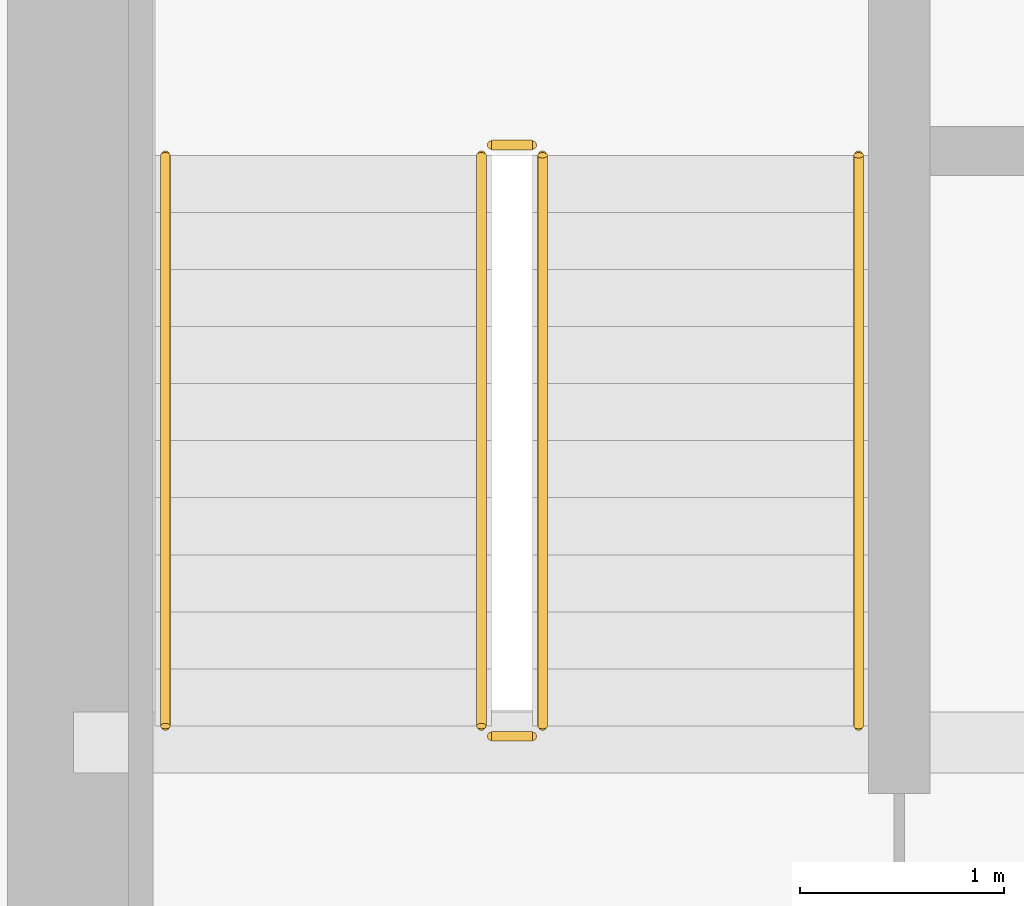
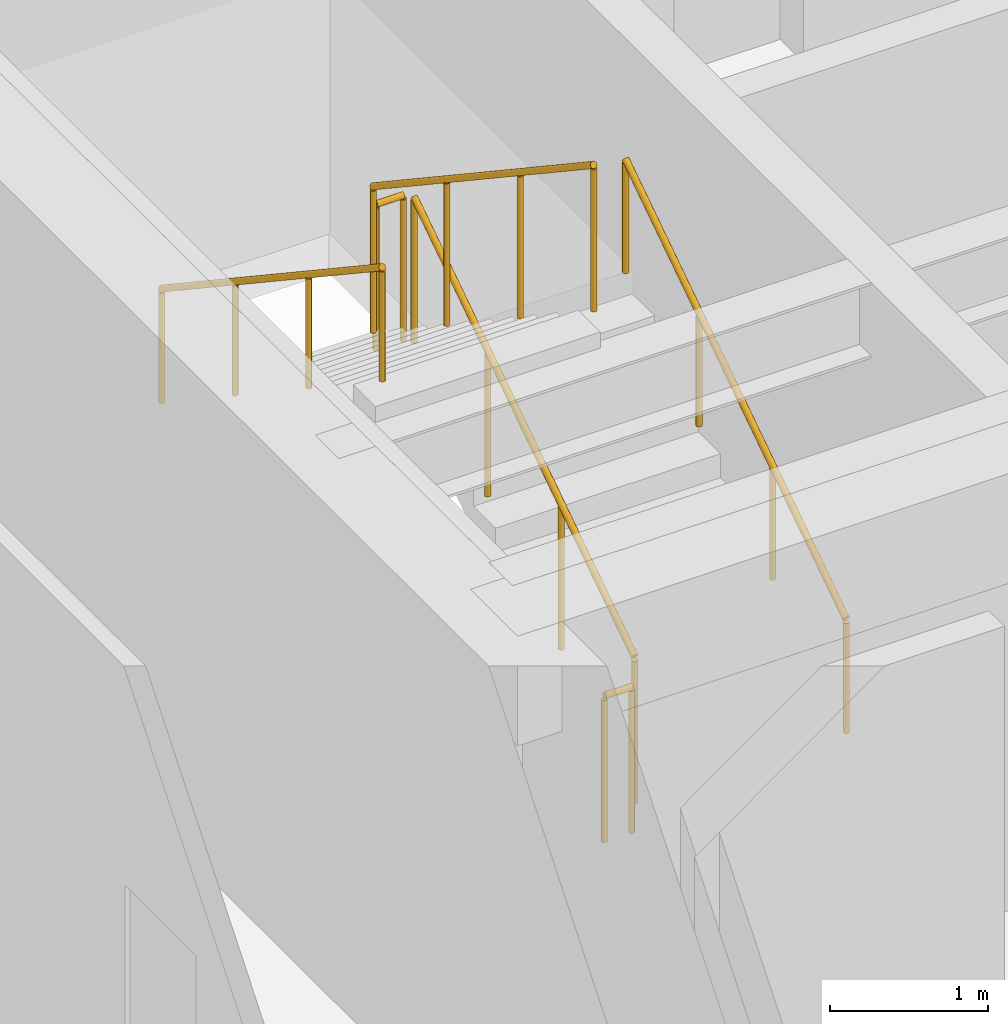
# One storey, part 29 of 30: 6 railings.
"""IFC4 building model written with IfcOpenShell, lengths in metres."""

from ifc_helpers import new_model, si_unit, direction, frame, origin, origin_2d, place, context, subcontext, project, spatial, circle, extrude, source, transform, mapped, material, type_object, type_shapes, element, save


model = new_model("IFC4")

# Units and contexts
model_context = context("Model", 3, precision=1e-05, world=origin(), true_north=direction((0.0, 1.0)))
body_context = subcontext(model_context, "Body", "Model", "MODEL_VIEW")
ifc_project = project(units=[si_unit("LENGTHUNIT", "METRE"), si_unit("AREAUNIT", "SQUARE_METRE"), si_unit("VOLUMEUNIT", "CUBIC_METRE"), si_unit("PLANEANGLEUNIT", "RADIAN"), si_unit("MASSUNIT", "GRAM", prefix="KILO")], contexts=[model_context])

# Site, building, storey
site_placement = place(None, origin())
site = spatial("IfcSite", under=ifc_project, at=site_placement, CompositionType="ELEMENT")
building_placement = place(site_placement, origin())
building = spatial("IfcBuilding", under=site, at=building_placement, Name="Haelvirn Gate Laboratories", CompositionType="ELEMENT")
storey_placement = place(building_placement, frame((0.0, 0.0, 162.5)))
storey = spatial("IfcBuildingStorey", under=building, at=storey_placement, Name="L39", CompositionType="ELEMENT", Elevation=162.5)

# Railings
ifc_material_1 = material(Name="Galvanised steel SM355 & stainless top rail", Category="steel")
railing_type_1 = type_object("IfcRailingType", Name="RL-GUARD-1150", PredefinedType="GUARDRAIL", material=ifc_material_1)
shared_shape_1 = source(origin(), body_context, "Body", "SweptSolid", [
    extrude(circle(Radius=0.02392578125, at=origin_2d()), frame((0.0, 0.0, 1.1259765625), z_axis=(-1.0, 0.0, 0.0), x_axis=(0.0, -1.0, 0.0)), (0.0, 0.0, 1.0), 0.199951171875),
    extrude(circle(Radius=0.02099609375, at=origin_2d()), origin(), (0.0, 0.0, 1.0), 1.101806640625),
    extrude(circle(Radius=0.02099609375, at=origin_2d()), frame((-0.199951171875, 0.0, 0.0)), (0.0, 0.0, 1.0), 1.101806640625),
])
for number, where, name in (
    (1, (9.64990234375, 29.550048828125, 2.050048828125), "L39 ST1 stair guard 2"),
    (2, (9.64990234375, 26.64990234375, 0.0), "L39 ST1 stair guard 4"),
):
    element("IfcRailing", number, at=place(storey_placement, frame(where)), inside=storey, type_object=railing_type_1, Name=name, PredefinedType="GUARDRAIL", context=body_context, shape_type="MappedRepresentation", body=[
        mapped(shared_shape_1, transform((0.0, 0.0, 0.0), scale=1.0)),
    ])
shared_shape_2 = source(origin(), body_context, "Body", "SweptSolid", [
    extrude(circle(Radius=0.02392578125, at=origin_2d()), frame((0.0, 0.0, 1.1259765625), z_axis=(0.0, -0.832452072856, 0.554097055034), x_axis=(1.0, 0.0, 0.0)), (0.0, 0.0, 1.0), 3.363525390625),
    extrude(circle(Radius=0.02099609375, at=origin_2d()), origin(), (0.0, 0.0, 1.0), 1.101806640625),
    extrude(circle(Radius=0.02099609375, at=origin_2d()), frame((0.0, -0.933349609375, 0.621337890625)), (0.0, 0.0, 1.0), 1.101806640625),
    extrude(circle(Radius=0.02099609375, at=origin_2d()), frame((0.0, -1.86669921875, 1.242431640625)), (0.0, 0.0, 1.0), 1.101806640625),
    extrude(circle(Radius=0.02099609375, at=origin_2d()), frame((0.0, -2.800048828125, 1.86376953125)), (0.0, 0.0, 1.0), 1.101806640625),
])
railing_1_placement = place(storey_placement, frame((9.39990234375, 29.5, 2.236328125)))
element("IfcRailing", 3, at=railing_1_placement, inside=storey, type_object=railing_type_1, Name="L39 ST1 stair guard 3", PredefinedType="GUARDRAIL", context=body_context, shape_type="MappedRepresentation", body=[
    mapped(shared_shape_2, transform((0.0, 0.0, 0.0), scale=1.0)),
])
ifc_material_2 = material(Name="Brushed stainless steel 316L", Category="steel")
railing_type_2 = type_object("IfcRailingType", Name="RL-HAND-920", PredefinedType="HANDRAIL", material=ifc_material_2)
shared_shape_3 = source(origin(), body_context, "Body", "SweptSolid", [
    extrude(circle(Radius=0.02392578125, at=origin_2d()), frame((0.0, 0.0, 0.8759765625), z_axis=(0.0, -0.832452072856, 0.554097055034), x_axis=(1.0, 0.0, 0.0)), (0.0, 0.0, 1.0), 3.363525390625),
    extrude(circle(Radius=0.02099609375, at=origin_2d()), origin(), (0.0, 0.0, 1.0), 0.851806640625),
    extrude(circle(Radius=0.02099609375, at=origin_2d()), frame((0.0, -0.933349609375, 0.621337890625)), (0.0, 0.0, 1.0), 0.851806640625),
    extrude(circle(Radius=0.02099609375, at=origin_2d()), frame((0.0, -1.86669921875, 1.242431640625)), (0.0, 0.0, 1.0), 0.851806640625),
    extrude(circle(Radius=0.02099609375, at=origin_2d()), frame((0.0, -2.800048828125, 1.86376953125)), (0.0, 0.0, 1.0), 0.851806640625),
])
railing_2_placement = place(storey_placement, frame((7.85009765625, 29.5, 2.236328125)))
element("IfcRailing", 4, at=railing_2_placement, inside=storey, type_object=railing_type_2, Name="L39 ST1 stair handrail 2", PredefinedType="HANDRAIL", context=body_context, shape_type="MappedRepresentation", body=[
    mapped(shared_shape_3, transform((0.0, 0.0, 0.0), scale=1.0)),
])
shared_shape_4 = source(origin(), body_context, "Body", "SweptSolid", [
    extrude(circle(Radius=0.02392578125, at=origin_2d()), frame((0.0, 0.0, 1.1259765625), z_axis=(0.0, 0.832452072856, 0.554097055034), x_axis=(-1.0, 0.0, 0.0)), (0.0, 0.0, 1.0), 3.363525390625),
    extrude(circle(Radius=0.02099609375, at=origin_2d()), origin(), (0.0, 0.0, 1.0), 1.101806640625),
    extrude(circle(Radius=0.02099609375, at=origin_2d()), frame((0.0, 0.933349609375, 0.621337890625)), (0.0, 0.0, 1.0), 1.101806640625),
    extrude(circle(Radius=0.02099609375, at=origin_2d()), frame((0.0, 1.86669921875, 1.242431640625)), (0.0, 0.0, 1.0), 1.101806640625),
    extrude(circle(Radius=0.02099609375, at=origin_2d()), frame((0.0, 2.800048828125, 1.86376953125)), (0.0, 0.0, 1.0), 1.101806640625),
])
type_shapes(railing_type_1, [shared_shape_1, shared_shape_2, shared_shape_4])
railing_3_placement = place(storey_placement, frame((9.699951171875, 26.699951171875, 0.186279296875)))
element("IfcRailing", 5, at=railing_3_placement, inside=storey, type_object=railing_type_1, Name="L39 ST1 stair guard 1", PredefinedType="GUARDRAIL", context=body_context, shape_type="MappedRepresentation", body=[
    mapped(shared_shape_4, transform((0.0, 0.0, 0.0), scale=1.0)),
])
shared_shape_5 = source(origin(), body_context, "Body", "SweptSolid", [
    extrude(circle(Radius=0.02392578125, at=origin_2d()), frame((0.0, 0.0, 0.8759765625), z_axis=(0.0, 0.832452072856, 0.554097055034), x_axis=(-1.0, 0.0, 0.0)), (0.0, 0.0, 1.0), 3.363525390625),
    extrude(circle(Radius=0.02099609375, at=origin_2d()), origin(), (0.0, 0.0, 1.0), 0.851806640625),
    extrude(circle(Radius=0.02099609375, at=origin_2d()), frame((0.0, 0.933349609375, 0.621337890625)), (0.0, 0.0, 1.0), 0.851806640625),
    extrude(circle(Radius=0.02099609375, at=origin_2d()), frame((0.0, 1.86669921875, 1.242431640625)), (0.0, 0.0, 1.0), 0.851806640625),
    extrude(circle(Radius=0.02099609375, at=origin_2d()), frame((0.0, 2.800048828125, 1.86376953125)), (0.0, 0.0, 1.0), 0.851806640625),
])
type_shapes(railing_type_2, [shared_shape_3, shared_shape_5])
railing_4_placement = place(storey_placement, frame((11.25, 26.699951171875, 0.186279296875)))
element("IfcRailing", 6, at=railing_4_placement, inside=storey, type_object=railing_type_2, Name="L39 ST1 stair handrail 1", PredefinedType="HANDRAIL", context=body_context, shape_type="MappedRepresentation", body=[
    mapped(shared_shape_5, transform((0.0, 0.0, 0.0), scale=1.0)),
])

save(model, "model.ifc")
